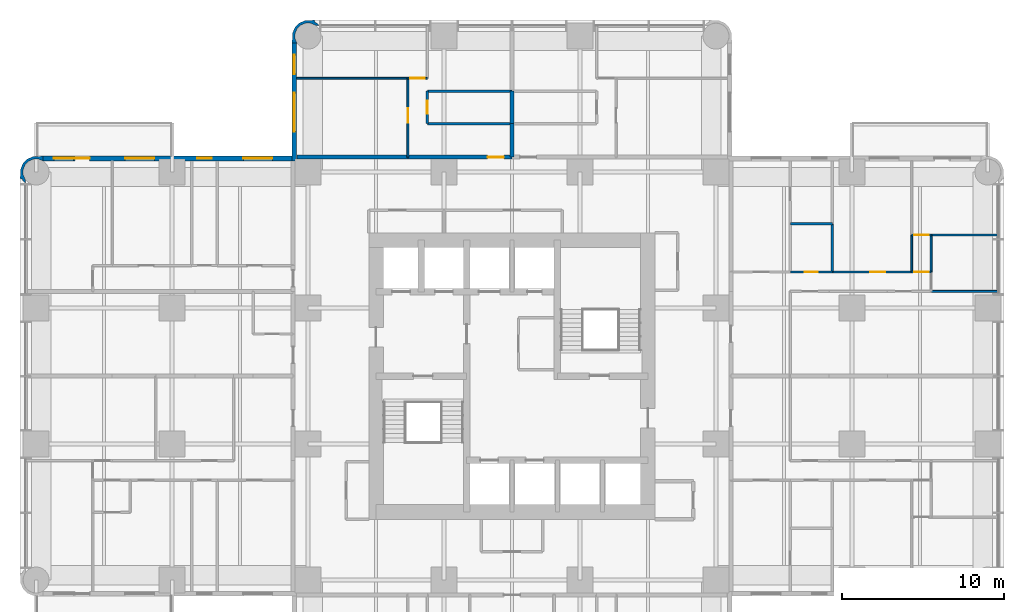
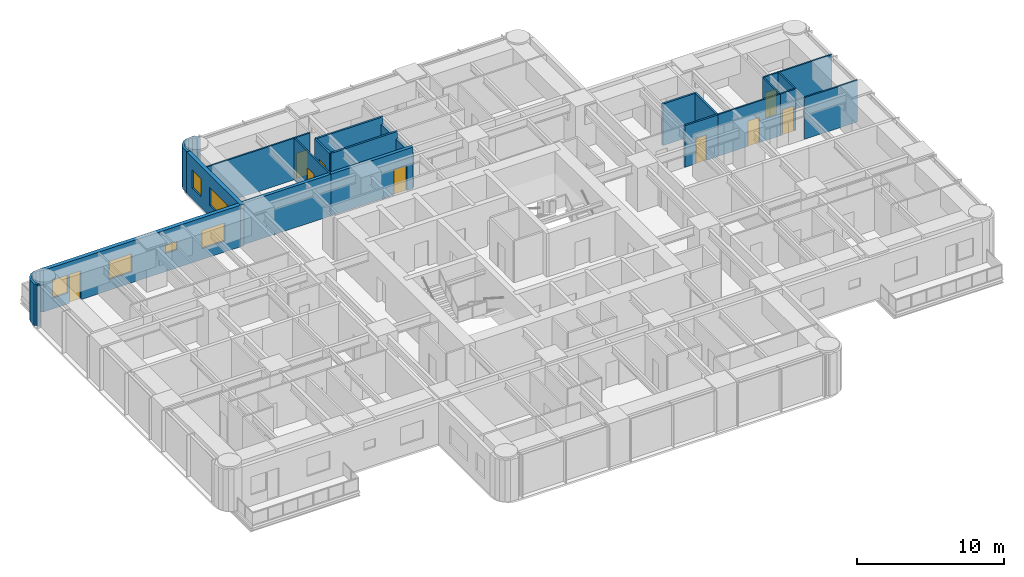
# One storey, part 11 of 15: 24 walls, 9 doors, 6 windows, 15 openings.
"""IFC4 building model written with IfcOpenShell, lengths in metres."""

from ifc_helpers import new_model, si_unit, direction, frame, frame_2d, origin, place, context, subcontext, project, spatial, polyline, rectangle, outline, extrude, material, layer, layer_set, type_object, element, fill, save


model = new_model("IFC4")

# Units and contexts
model_context = context("Model", 3, precision=1e-05, world=origin(), true_north=direction((0.0, 1.0)))
body_context = subcontext(model_context, "Body", "Model", "MODEL_VIEW")
ifc_project = project(units=[si_unit("LENGTHUNIT", "METRE"), si_unit("AREAUNIT", "SQUARE_METRE"), si_unit("VOLUMEUNIT", "CUBIC_METRE"), si_unit("PLANEANGLEUNIT", "RADIAN"), si_unit("MASSUNIT", "GRAM", prefix="KILO")], contexts=[model_context])

# Site, building, storey
site_placement = place(None, origin())
site = spatial("IfcSite", under=ifc_project, at=site_placement, CompositionType="ELEMENT")
building_placement = place(site_placement, origin())
building = spatial("IfcBuilding", under=site, at=building_placement, Name="Torre Alcanfor", CompositionType="ELEMENT")
storey_placement = place(building_placement, frame((0.0, 0.0, 116.10009765625)))
storey = spatial("IfcBuildingStorey", under=building, at=storey_placement, Name="L29", CompositionType="ELEMENT", Elevation=116.10009765625)

# Wall, opening, door
ifc_material_1 = material(Name="Concrete block masonry, hollow blocks NMX-C-404 9 MPa", Category="masonry")
ifc_layer_1 = layer(ifc_material_1, 0.25)
ifc_layer_set_1 = layer_set([ifc_layer_1], Name="Apartment entrance wall 250 EI 60")
wall_type_1 = type_object("IfcWallType", Name="Apartment entrance wall 250 EI 60", PredefinedType="PARTITIONING", material=ifc_layer_set_1)
wall_1_placement = place(storey_placement, frame((22.970947265625, 42.925048828125, 0.0), z_axis=(0.0, 0.0, 1.0), x_axis=(1.0, 0.0, 0.0)))
wall_1 = element("IfcWall", 1, at=wall_1_placement, inside=storey, type_object=wall_type_1, Name="Partition L29-CORR / L29-N1-LIVING", PredefinedType="PARTITIONING", context=body_context, shape_type="SweptSolid", body=[
    extrude(rectangle(XDim=6.428955078125, YDim=0.25, at=frame_2d((3.21435546875, 0.0))), origin(), (0.0, 0.0, 1.0), 3.449951171875),
])
opening_1_placement = place(wall_1_placement, frame((4.928955078125, 0.0, 0.0)))
opening_1 = element("IfcOpeningElement", 2, at=opening_1_placement, cuts=wall_1, Name="Opening D-A1", PredefinedType="OPENING", context=body_context, shape_type="SweptSolid", body=[
    extrude(rectangle(XDim=1.0, YDim=2.10009765625, at=frame_2d((0.5, 1.050048828125))), frame((0.0, 0.135009765625, 0.0), z_axis=(0.0, -1.0, 0.0), x_axis=(1.0, 0.0, 0.0)), (0.0, 0.0, 1.0), 0.27001953125),
])
ifc_material_2 = material(Name="Galvanised steel sheet ASTM A653", Category="steel")
door_type_1 = type_object("IfcDoorType", Name="Apartment entrance door FD60 1000x2100", OperationType="SINGLE_SWING_LEFT", PredefinedType="DOOR", material=ifc_material_2)
door_1_placement = place(opening_1_placement, origin())
door_1 = element("IfcDoor", 3, at=door_1_placement, inside=storey, type_object=door_type_1, Name="Apartment entrance L29-N1", OperationType="SINGLE_SWING_RIGHT", OverallHeight=2.10009765625, OverallWidth=1.0, PredefinedType="DOOR", context=body_context, shape_type="SweptSolid", body=[
    extrude(rectangle(XDim=1.0, YDim=2.10009765625, at=frame_2d((0.5, 1.050048828125))), frame((0.0, 0.02490234375, 0.0), z_axis=(0.0, -1.0, 0.0), x_axis=(1.0, 0.0, 0.0)), (0.0, 0.0, 1.0), 0.050048828125),
])
fill(opening_1, door_1)

# Wall
wall_2_placement = place(storey_placement, frame((16.10009765625, 42.925048828125, 0.0), z_axis=(0.0, 0.0, 1.0), x_axis=(1.0, 0.0, 0.0)))
element("IfcWall", 4, at=wall_2_placement, inside=storey, type_object=wall_type_1, Name="Partition L29-CORR / L29-N1-BED2", PredefinedType="PARTITIONING", context=body_context, shape_type="SweptSolid", body=[
    extrude(rectangle(XDim=6.870849609375, YDim=0.25, at=frame_2d((3.435546875, 0.0))), origin(), (0.0, 0.0, 1.0), 3.449951171875),
])

# Wall, opening, door
ifc_material_3 = material(Name="Gypsum board on steel studs", Category="steel")
ifc_layer_2 = layer(ifc_material_3, 0.1201171875)
ifc_layer_set_2 = layer_set([ifc_layer_2], Name="Apartment partition 120")
wall_type_2 = type_object("IfcWallType", Name="Apartment partition 120", PredefinedType="PARTITIONING", material=ifc_layer_set_2)
wall_3_placement = place(storey_placement, frame((22.970947265625, 42.925048828125, 0.0), z_axis=(0.0, 0.0, 1.0), x_axis=(0.0, 1.0, 0.0)))
wall_3 = element("IfcWall", 5, at=wall_3_placement, inside=storey, type_object=wall_type_2, Name="Partition L29-N1-LIVING / L29-N1-BED2", PredefinedType="PARTITIONING", context=body_context, shape_type="SweptSolid", body=[
    extrude(rectangle(XDim=4.875, YDim=0.1201171875, at=frame_2d((2.4375, 0.0))), origin(), (0.0, 0.0, 1.0), 3.449951171875),
])
opening_2_placement = place(wall_3_placement, frame((2.125, 0.0, 0.0)))
opening_2 = element("IfcOpeningElement", 6, at=opening_2_placement, cuts=wall_3, Name="Opening D-R1", PredefinedType="OPENING", context=body_context, shape_type="SweptSolid", body=[
    extrude(rectangle(XDim=0.89990234375, YDim=2.10009765625, at=frame_2d((0.449951171875, 1.050048828125))), frame((0.0, 0.070068359375, 0.0), z_axis=(0.0, -1.0, 0.0), x_axis=(1.0, 0.0, 0.0)), (0.0, 0.0, 1.0), 0.14013671875),
])
ifc_material_4 = material(Name="Timber", Category="wood")
door_type_2 = type_object("IfcDoorType", Name="Internal door 900x2100", OperationType="SINGLE_SWING_LEFT", PredefinedType="DOOR", material=ifc_material_4)
door_2_placement = place(opening_2_placement, origin())
door_2 = element("IfcDoor", 7, at=door_2_placement, inside=storey, type_object=door_type_2, Name="Door L29-N1 bed2", OperationType="SINGLE_SWING_RIGHT", OverallHeight=2.10009765625, OverallWidth=0.89990234375, PredefinedType="DOOR", context=body_context, shape_type="SweptSolid", body=[
    extrude(rectangle(XDim=0.89990234375, YDim=2.10009765625, at=frame_2d((0.449951171875, 1.050048828125))), frame((0.0, 0.02490234375, 0.0), z_axis=(0.0, -1.0, 0.0), x_axis=(1.0, 0.0, 0.0)), (0.0, 0.0, 1.0), 0.050048828125),
])
fill(opening_2, door_2)

wall_4_placement = place(storey_placement, frame((22.970947265625, 47.800048828125, 0.0), z_axis=(0.0, 0.0, 1.0), x_axis=(1.0, 0.0, 0.0)))
wall_4 = element("IfcWall", 8, at=wall_4_placement, inside=storey, type_object=wall_type_2, Name="Partition L29-N1-LIVING / L29-N1-MASTER", PredefinedType="PARTITIONING", context=body_context, shape_type="SweptSolid", body=[
    extrude(rectangle(XDim=1.199951171875, YDim=0.1201171875, at=frame_2d((0.60009765625, 0.0))), origin(), (0.0, 0.0, 1.0), 3.449951171875),
])
opening_3_placement = place(wall_4_placement, frame((0.14892578125, 0.0, 0.0)))
opening_3 = element("IfcOpeningElement", 9, at=opening_3_placement, cuts=wall_4, Name="Opening D-R1", PredefinedType="OPENING", context=body_context, shape_type="SweptSolid", body=[
    extrude(rectangle(XDim=0.89990234375, YDim=2.10009765625, at=frame_2d((0.449951171875, 1.050048828125))), frame((0.0, 0.070068359375, 0.0), z_axis=(0.0, -1.0, 0.0), x_axis=(1.0, 0.0, 0.0)), (0.0, 0.0, 1.0), 0.14013671875),
])
door_3_placement = place(opening_3_placement, origin())
door_3 = element("IfcDoor", 10, at=door_3_placement, inside=storey, type_object=door_type_2, Name="Door L29-N1 master", OperationType="SINGLE_SWING_RIGHT", OverallHeight=2.10009765625, OverallWidth=0.89990234375, PredefinedType="DOOR", context=body_context, shape_type="SweptSolid", body=[
    extrude(rectangle(XDim=0.89990234375, YDim=2.10009765625, at=frame_2d((0.449951171875, 1.050048828125))), frame((0.0, 0.02490234375, 0.0), z_axis=(0.0, -1.0, 0.0), x_axis=(1.0, 0.0, 0.0)), (0.0, 0.0, 1.0), 0.050048828125),
])
fill(opening_3, door_3)

# Walls
wall_5_placement = place(storey_placement, frame((22.970947265625, 47.800048828125, 0.0), z_axis=(0.0, 0.0, 1.0), x_axis=(-1.0, 0.0, 0.0)))
element("IfcWall", 11, at=wall_5_placement, inside=storey, type_object=wall_type_2, Name="Partition L29-N1-BED2 / L29-N1-MASTER", PredefinedType="PARTITIONING", context=body_context, shape_type="SweptSolid", body=[
    extrude(rectangle(XDim=6.870849609375, YDim=0.1201171875, at=frame_2d((3.435546875, 0.0))), origin(), (0.0, 0.0, 1.0), 3.449951171875),
])
wall_6_placement = place(storey_placement, frame((59.449951171875, 34.62890625, 0.0), z_axis=(0.0, 0.0, 1.0), x_axis=(-1.0, 0.0, 0.0)))
element("IfcWall", 12, at=wall_6_placement, inside=storey, type_object=wall_type_2, Name="Partition L29-E1-LIVING / L29-E1-BED2", PredefinedType="PARTITIONING", context=body_context, shape_type="SweptSolid", body=[
    extrude(rectangle(XDim=4.14990234375, YDim=0.1201171875, at=frame_2d((2.074951171875, 0.0))), origin(), (0.0, 0.0, 1.0), 3.449951171875),
])

# Wall, opening, door
wall_7_placement = place(storey_placement, frame((54.10009765625, 35.8291015625, 0.0), z_axis=(0.0, 0.0, 1.0), x_axis=(-1.0, 0.0, 0.0)))
wall_7 = element("IfcWall", 13, at=wall_7_placement, inside=storey, type_object=wall_type_2, Name="Partition L29-E1-HALL / L29-E1-BED3", PredefinedType="PARTITIONING", context=body_context, shape_type="SweptSolid", body=[
    extrude(rectangle(XDim=4.900146484375, YDim=0.1201171875, at=frame_2d((2.4501953125, 0.0))), origin(), (0.0, 0.0, 1.0), 3.449951171875),
])
opening_4_placement = place(wall_7_placement, frame((1.64990234375, 0.0, 0.0)))
opening_4 = element("IfcOpeningElement", 14, at=opening_4_placement, cuts=wall_7, Name="Opening D-R1", PredefinedType="OPENING", context=body_context, shape_type="SweptSolid", body=[
    extrude(rectangle(XDim=0.89990234375, YDim=2.10009765625, at=frame_2d((0.449951171875, 1.050048828125))), frame((0.0, 0.070068359375, 0.0), z_axis=(0.0, -1.0, 0.0), x_axis=(1.0, 0.0, 0.0)), (0.0, 0.0, 1.0), 0.14013671875),
])
door_4_placement = place(opening_4_placement, frame((0.89990234375, 0.0, 0.0), z_axis=(0.0, 0.0, 1.0), x_axis=(-1.0, 0.0, 0.0)))
door_4 = element("IfcDoor", 15, at=door_4_placement, inside=storey, type_object=door_type_2, Name="Door L29-E1 bed3", OperationType="SINGLE_SWING_RIGHT", OverallHeight=2.10009765625, OverallWidth=0.89990234375, PredefinedType="DOOR", context=body_context, shape_type="SweptSolid", body=[
    extrude(rectangle(XDim=0.89990234375, YDim=2.10009765625, at=frame_2d((0.449951171875, 1.050048828125))), frame((0.0, 0.025146484375, 0.0), z_axis=(0.0, -1.0, 0.0), x_axis=(1.0, 0.0, 0.0)), (0.0, 0.0, 1.0), 0.050048828125),
])
fill(opening_4, door_4)

wall_8_placement = place(storey_placement, frame((55.300048828125, 35.8291015625, 0.0), z_axis=(0.0, 0.0, 1.0), x_axis=(-1.0, 0.0, 0.0)))
wall_8 = element("IfcWall", 16, at=wall_8_placement, inside=storey, type_object=wall_type_2, Name="Partition L29-E1-HALL / L29-E1-VEST", PredefinedType="PARTITIONING", context=body_context, shape_type="SweptSolid", body=[
    extrude(rectangle(XDim=1.199951171875, YDim=0.1201171875, at=frame_2d((0.60009765625, 0.0))), origin(), (0.0, 0.0, 1.0), 3.449951171875),
])
opening_5_placement = place(wall_8_placement, frame((0.14990234375, 0.0, 0.0)))
opening_5 = element("IfcOpeningElement", 17, at=opening_5_placement, cuts=wall_8, Name="Opening D-R1", PredefinedType="OPENING", context=body_context, shape_type="SweptSolid", body=[
    extrude(rectangle(XDim=0.89990234375, YDim=2.10009765625, at=frame_2d((0.449951171875, 1.050048828125))), frame((0.0, 0.070068359375, 0.0), z_axis=(0.0, -1.0, 0.0), x_axis=(1.0, 0.0, 0.0)), (0.0, 0.0, 1.0), 0.14013671875),
])
door_5_placement = place(opening_5_placement, frame((0.89990234375, 0.0, 0.0), z_axis=(0.0, 0.0, 1.0), x_axis=(-1.0, 0.0, 0.0)))
door_5 = element("IfcDoor", 18, at=door_5_placement, inside=storey, type_object=door_type_2, Name="Door L29-E1 vest", OperationType="SINGLE_SWING_RIGHT", OverallHeight=2.10009765625, OverallWidth=0.89990234375, PredefinedType="DOOR", context=body_context, shape_type="SweptSolid", body=[
    extrude(rectangle(XDim=0.89990234375, YDim=2.10009765625, at=frame_2d((0.449951171875, 1.050048828125))), frame((0.0, 0.025146484375, 0.0), z_axis=(0.0, -1.0, 0.0), x_axis=(1.0, 0.0, 0.0)), (0.0, 0.0, 1.0), 0.050048828125),
])
fill(opening_5, door_5)

# Walls
for number, where, z_axis, x_axis, name in (
    (19, (54.10009765625, 35.8291015625, 0.0), (0.0, 0.0, 1.0), (0.0, 1.0, 0.0), "Partition L29-E1-BED3 / L29-E1-VEST"),
    (20, (55.300048828125, 35.8291015625, 0.0), (0.0, 0.0, 1.0), (0.0, 1.0, 0.0), "Partition L29-E1-VEST / L29-E1-BED2"),
):
    element("IfcWall", number, at=place(storey_placement, frame(where, z_axis=z_axis, x_axis=x_axis)), inside=storey, type_object=wall_type_2, Name=name, PredefinedType="PARTITIONING", context=body_context, shape_type="SweptSolid", body=[
        extrude(rectangle(XDim=2.284912109375, YDim=0.1201171875, at=frame_2d((1.142578125, 0.0))), origin(), (0.0, 0.0, 1.0), 3.449951171875),
    ])

# Wall, opening, door
wall_9_placement = place(storey_placement, frame((55.300048828125, 38.114013671875, 0.0), z_axis=(0.0, 0.0, 1.0), x_axis=(-1.0, 0.0, 0.0)))
wall_9 = element("IfcWall", 21, at=wall_9_placement, inside=storey, type_object=wall_type_2, Name="Partition L29-E1-VEST / L29-E1-MASTER", PredefinedType="PARTITIONING", context=body_context, shape_type="SweptSolid", body=[
    extrude(rectangle(XDim=1.199951171875, YDim=0.1201171875, at=frame_2d((0.60009765625, 0.0))), origin(), (0.0, 0.0, 1.0), 3.449951171875),
])
opening_6_placement = place(wall_9_placement, frame((0.14990234375, 0.0, 0.0)))
opening_6 = element("IfcOpeningElement", 22, at=opening_6_placement, cuts=wall_9, Name="Opening D-R1", PredefinedType="OPENING", context=body_context, shape_type="SweptSolid", body=[
    extrude(rectangle(XDim=0.89990234375, YDim=2.10009765625, at=frame_2d((0.449951171875, 1.050048828125))), frame((0.0, 0.070068359375, 0.0), z_axis=(0.0, -1.0, 0.0), x_axis=(1.0, 0.0, 0.0)), (0.0, 0.0, 1.0), 0.14013671875),
])
door_6_placement = place(opening_6_placement, origin())
door_6 = element("IfcDoor", 23, at=door_6_placement, inside=storey, type_object=door_type_2, Name="Door L29-E1 master", OperationType="SINGLE_SWING_LEFT", OverallHeight=2.10009765625, OverallWidth=0.89990234375, PredefinedType="DOOR", context=body_context, shape_type="SweptSolid", body=[
    extrude(rectangle(XDim=0.89990234375, YDim=2.10009765625, at=frame_2d((0.449951171875, 1.050048828125))), frame((0.0, 0.02490234375, 0.0), z_axis=(0.0, -1.0, 0.0), x_axis=(1.0, 0.0, 0.0)), (0.0, 0.0, 1.0), 0.050048828125),
])
fill(opening_6, door_6)

# Wall
wall_10_placement = place(storey_placement, frame((59.449951171875, 38.114013671875, 0.0), z_axis=(0.0, 0.0, 1.0), x_axis=(-1.0, 0.0, 0.0)))
element("IfcWall", 24, at=wall_10_placement, inside=storey, type_object=wall_type_2, Name="Partition L29-E1-BED2 / L29-E1-MASTER", PredefinedType="PARTITIONING", context=body_context, shape_type="SweptSolid", body=[
    extrude(rectangle(XDim=4.14990234375, YDim=0.1201171875, at=frame_2d((2.074951171875, 0.0))), origin(), (0.0, 0.0, 1.0), 3.449951171875),
])

# Wall, openings, door, windows
ifc_material_5 = material(Name="Limestone cladding", Category="masonry")
ifc_layer_3 = layer(ifc_material_5, 0.0400390625, Name="Facing")
ifc_material_6 = material(Name="Ventilated air cavity")
ifc_layer_4 = layer(ifc_material_6, 0.02001953125, ventilated=True, Name="Ventilated joint")
ifc_material_7 = material(Name="Mineral wool insulation", Category="insulation")
ifc_layer_5 = layer(ifc_material_7, 0.10009765625, Name="Insulation")
ifc_material_8 = material(Name="Concrete f'c 35 MPa", Category="concrete")
ifc_layer_6 = layer(ifc_material_8, 0.139892578125, Name="Backing")
ifc_layer_set_3 = layer_set([ifc_layer_3, ifc_layer_4, ifc_layer_5, ifc_layer_6], Name="External wall stone-clad 300")
wall_type_3 = type_object("IfcWallType", Name="External wall stone-clad 300", PredefinedType="SOLIDWALL", material=ifc_layer_set_3)
wall_11_placement = place(storey_placement, frame((15.800048828125, 42.85009765625, 0.0), z_axis=(0.0, 0.0, 1.0), x_axis=(-1.0, 0.0, 0.0)))
wall_11 = element("IfcWall", 25, at=wall_11_placement, inside=storey, type_object=wall_type_3, Name="External wall L29 1", PredefinedType="SOLIDWALL", context=body_context, shape_type="SweptSolid", body=[
    extrude(rectangle(XDim=15.400146484375, YDim=0.300048828125, at=frame_2d((7.7001953125, 0.0))), origin(), (0.0, 0.0, 1.0), 3.449951171875),
])
opening_7_placement = place(wall_11_placement, frame((1.199951171875, 0.0, 0.89990234375)))
opening_7 = element("IfcOpeningElement", 26, at=opening_7_placement, cuts=wall_11, Name="Opening W2", PredefinedType="OPENING", context=body_context, shape_type="SweptSolid", body=[
    extrude(rectangle(XDim=1.800048828125, YDim=1.5, at=frame_2d((0.89990234375, 0.75))), frame((0.0, 0.159912109375, 0.0), z_axis=(0.0, -1.0, 0.0), x_axis=(1.0, 0.0, 0.0)), (0.0, 0.0, 1.0), 0.320068359375),
])
opening_8_placement = place(wall_11_placement, frame((4.949951171875, 0.0, 1.5)))
opening_8 = element("IfcOpeningElement", 27, at=opening_8_placement, cuts=wall_11, Name="Opening W3", PredefinedType="OPENING", context=body_context, shape_type="SweptSolid", body=[
    extrude(rectangle(XDim=0.89990234375, YDim=0.699951171875, at=frame_2d((0.449951171875, 0.35009765625))), frame((0.0, 0.159912109375, 0.0), z_axis=(0.0, -1.0, 0.0), x_axis=(1.0, 0.0, 0.0)), (0.0, 0.0, 1.0), 0.320068359375),
])
opening_9_placement = place(wall_11_placement, frame((8.5, 0.0, 0.89990234375)))
opening_9 = element("IfcOpeningElement", 28, at=opening_9_placement, cuts=wall_11, Name="Opening W2", PredefinedType="OPENING", context=body_context, shape_type="SweptSolid", body=[
    extrude(rectangle(XDim=1.800048828125, YDim=1.5, at=frame_2d((0.89990234375, 0.75))), frame((0.0, 0.159912109375, 0.0), z_axis=(0.0, -1.0, 0.0), x_axis=(1.0, 0.0, 0.0)), (0.0, 0.0, 1.0), 0.320068359375),
])
opening_10_placement = place(wall_11_placement, frame((12.5, 0.0, 0.0)))
opening_10 = element("IfcOpeningElement", 29, at=opening_10_placement, cuts=wall_11, Name="Opening D-B1", PredefinedType="OPENING", context=body_context, shape_type="SweptSolid", body=[
    extrude(rectangle(XDim=0.89990234375, YDim=2.39990234375, at=frame_2d((0.449951171875, 1.199951171875))), frame((0.0, 0.159912109375, 0.0), z_axis=(0.0, -1.0, 0.0), x_axis=(1.0, 0.0, 0.0)), (0.0, 0.0, 1.0), 0.320068359375),
])
opening_11_placement = place(wall_11_placement, frame((13.5, 0.0, 0.89990234375)))
opening_11 = element("IfcOpeningElement", 30, at=opening_11_placement, cuts=wall_11, Name="Opening W4", PredefinedType="OPENING", context=body_context, shape_type="SweptSolid", body=[
    extrude(rectangle(XDim=1.199951171875, YDim=1.5, at=frame_2d((0.60009765625, 0.75))), frame((0.0, 0.159912109375, 0.0), z_axis=(0.0, -1.0, 0.0), x_axis=(1.0, 0.0, 0.0)), (0.0, 0.0, 1.0), 0.320068359375),
])
ifc_material_9 = material(Name="Aluminium and glass", Category="aluminium")
door_type_3 = type_object("IfcDoorType", Name="Balcony door glazed 900x2400", OperationType="SINGLE_SWING_LEFT", PredefinedType="DOOR", material=ifc_material_9)
door_7_placement = place(opening_10_placement, origin())
door_7 = element("IfcDoor", 31, at=door_7_placement, inside=storey, type_object=door_type_3, Name="Balcony door L29-W2", OperationType="SINGLE_SWING_LEFT", OverallHeight=2.39990234375, OverallWidth=0.89990234375, PredefinedType="DOOR", context=body_context, shape_type="SweptSolid", body=[
    extrude(rectangle(XDim=0.89990234375, YDim=2.39990234375, at=frame_2d((0.449951171875, 1.199951171875))), frame((0.0, 0.02490234375, 0.0), z_axis=(0.0, -1.0, 0.0), x_axis=(1.0, 0.0, 0.0)), (0.0, 0.0, 1.0), 0.050048828125),
])
fill(opening_10, door_7)
ifc_material_10 = material(Name="Aluminium frame with clear double glazing", Category="aluminium")
window_type_1 = type_object("IfcWindowType", Name="Window bathroom 900x700", PartitioningType="SINGLE_PANEL", PredefinedType="WINDOW", material=ifc_material_10)
window_1_placement = place(opening_8_placement, origin())
window_1 = element("IfcWindow", 32, at=window_1_placement, inside=storey, type_object=window_type_1, Name="Window W3 L29-W2", OverallHeight=0.699951171875, OverallWidth=0.89990234375, PartitioningType="SINGLE_PANEL", PredefinedType="WINDOW", context=body_context, shape_type="SweptSolid", body=[
    extrude(rectangle(XDim=0.89990234375, YDim=0.699951171875, at=frame_2d((0.449951171875, 0.35009765625))), frame((0.0, 0.030029296875, 0.0), z_axis=(0.0, -1.0, 0.0), x_axis=(1.0, 0.0, 0.0)), (0.0, 0.0, 1.0), 0.06005859375),
])
fill(opening_8, window_1)
ifc_material_11 = material(Name="Aluminium frame with clear double glazing", Category="aluminium")
window_type_2 = type_object("IfcWindowType", Name="Window bedroom 1200x1500", PartitioningType="SINGLE_PANEL", PredefinedType="WINDOW", material=ifc_material_11)
window_2_placement = place(opening_11_placement, origin())
window_2 = element("IfcWindow", 33, at=window_2_placement, inside=storey, type_object=window_type_2, Name="Window W4 L29-W2", OverallHeight=1.5, OverallWidth=1.199951171875, PartitioningType="SINGLE_PANEL", PredefinedType="WINDOW", context=body_context, shape_type="SweptSolid", body=[
    extrude(rectangle(XDim=1.199951171875, YDim=1.5, at=frame_2d((0.60009765625, 0.75))), frame((0.0, 0.030029296875, 0.0), z_axis=(0.0, -1.0, 0.0), x_axis=(1.0, 0.0, 0.0)), (0.0, 0.0, 1.0), 0.06005859375),
])
fill(opening_11, window_2)
ifc_material_12 = material(Name="Aluminium frame with clear double glazing", Category="aluminium")
window_type_3 = type_object("IfcWindowType", Name="Window bedroom 1800x1500", PartitioningType="SINGLE_PANEL", PredefinedType="WINDOW", material=ifc_material_12)
window_3_placement = place(opening_7_placement, origin())
window_3 = element("IfcWindow", 34, at=window_3_placement, inside=storey, type_object=window_type_3, Name="Window W2 L29-W2", OverallHeight=1.5, OverallWidth=1.800048828125, PartitioningType="SINGLE_PANEL", PredefinedType="WINDOW", context=body_context, shape_type="SweptSolid", body=[
    extrude(rectangle(XDim=1.800048828125, YDim=1.5, at=frame_2d((0.89990234375, 0.75))), frame((0.0, 0.030029296875, 0.0), z_axis=(0.0, -1.0, 0.0), x_axis=(1.0, 0.0, 0.0)), (0.0, 0.0, 1.0), 0.06005859375),
])
fill(opening_7, window_3)
window_4_placement = place(opening_9_placement, origin())
window_4 = element("IfcWindow", 35, at=window_4_placement, inside=storey, type_object=window_type_3, Name="Window W2 L29-W2", OverallHeight=1.5, OverallWidth=1.800048828125, PartitioningType="SINGLE_PANEL", PredefinedType="WINDOW", context=body_context, shape_type="SweptSolid", body=[
    extrude(rectangle(XDim=1.800048828125, YDim=1.5, at=frame_2d((0.89990234375, 0.75))), frame((0.0, 0.030029296875, 0.0), z_axis=(0.0, -1.0, 0.0), x_axis=(1.0, 0.0, 0.0)), (0.0, 0.0, 1.0), 0.06005859375),
])
fill(opening_9, window_4)

# Wall, openings, windows
wall_12_placement = place(storey_placement, frame((15.949951171875, 50.0, 0.0), z_axis=(0.0, 0.0, 1.0), x_axis=(0.0, -1.0, 0.0)))
wall_12 = element("IfcWall", 36, at=wall_12_placement, inside=storey, type_object=wall_type_3, Name="External wall L29 12", PredefinedType="SOLIDWALL", context=body_context, shape_type="SweptSolid", body=[
    extrude(rectangle(XDim=7.300048828125, YDim=0.300048828125, at=frame_2d((3.64990234375, 0.0))), origin(), (0.0, 0.0, 1.0), 3.449951171875),
])
opening_12_placement = place(wall_12_placement, frame((3.10009765625, 0.0, 0.89990234375)))
opening_12 = element("IfcOpeningElement", 37, at=opening_12_placement, cuts=wall_12, Name="Opening W1", PredefinedType="OPENING", context=body_context, shape_type="SweptSolid", body=[
    extrude(rectangle(XDim=2.39990234375, YDim=1.5, at=frame_2d((1.199951171875, 0.75))), frame((0.0, 0.159912109375, 0.0), z_axis=(0.0, -1.0, 0.0), x_axis=(1.0, 0.0, 0.0)), (0.0, 0.0, 1.0), 0.320068359375),
])
opening_13_placement = place(wall_12_placement, frame((0.75, 0.0, 0.89990234375)))
opening_13 = element("IfcOpeningElement", 38, at=opening_13_placement, cuts=wall_12, Name="Opening W4", PredefinedType="OPENING", context=body_context, shape_type="SweptSolid", body=[
    extrude(rectangle(XDim=1.199951171875, YDim=1.5, at=frame_2d((0.60009765625, 0.75))), frame((0.0, 0.159912109375, 0.0), z_axis=(0.0, -1.0, 0.0), x_axis=(1.0, 0.0, 0.0)), (0.0, 0.0, 1.0), 0.320068359375),
])
window_5_placement = place(opening_13_placement, origin())
window_5 = element("IfcWindow", 39, at=window_5_placement, inside=storey, type_object=window_type_2, Name="Window W4 L29-N1", OverallHeight=1.5, OverallWidth=1.199951171875, PartitioningType="SINGLE_PANEL", PredefinedType="WINDOW", context=body_context, shape_type="SweptSolid", body=[
    extrude(rectangle(XDim=1.199951171875, YDim=1.5, at=frame_2d((0.60009765625, 0.75))), frame((0.0, 0.030029296875, 0.0), z_axis=(0.0, -1.0, 0.0), x_axis=(1.0, 0.0, 0.0)), (0.0, 0.0, 1.0), 0.06005859375),
])
fill(opening_13, window_5)
ifc_material_13 = material(Name="Aluminium frame with clear double glazing", Category="aluminium")
window_type_4 = type_object("IfcWindowType", Name="Window bedroom 2400x1500", PartitioningType="SINGLE_PANEL", PredefinedType="WINDOW", material=ifc_material_13)
window_6_placement = place(opening_12_placement, origin())
window_6 = element("IfcWindow", 40, at=window_6_placement, inside=storey, type_object=window_type_4, Name="Window W1 L29-N1", OverallHeight=1.5, OverallWidth=2.39990234375, PartitioningType="SINGLE_PANEL", PredefinedType="WINDOW", context=body_context, shape_type="SweptSolid", body=[
    extrude(rectangle(XDim=2.39990234375, YDim=1.5, at=frame_2d((1.199951171875, 0.75))), frame((0.0, 0.030029296875, 0.0), z_axis=(0.0, -1.0, 0.0), x_axis=(1.0, 0.0, 0.0)), (0.0, 0.0, 1.0), 0.06005859375),
])
fill(opening_12, window_6)

# Walls
ifc_material_14 = material(Name="Concrete block masonry, hollow blocks NMX-C-404 9 MPa", Category="masonry")
ifc_layer_7 = layer(ifc_material_14, 0.25)
ifc_layer_set_4 = layer_set([ifc_layer_7], Name="Party wall 250 EI 60")
wall_type_4 = type_object("IfcWallType", Name="Party wall 250 EI 60", PredefinedType="PARTITIONING", material=ifc_layer_set_4)
wall_13_placement = place(storey_placement, frame((29.39990234375, 45.0, 0.0), z_axis=(0.0, 0.0, 1.0), x_axis=(0.0, 1.0, 0.0)))
element("IfcWall", 41, at=wall_13_placement, inside=storey, type_object=wall_type_4, Name="Partition L29-N1-BATH / L29-N2-BATH", PredefinedType="PARTITIONING", context=body_context, shape_type="SweptSolid", body=[
    extrude(rectangle(XDim=2.0, YDim=0.25, at=frame_2d((1.0, 0.0))), origin(), (0.0, 0.0, 1.0), 2.847900390625),
])
wall_14_placement = place(storey_placement, frame((29.39990234375, 45.0, 0.0), z_axis=(0.0, 0.0, 1.0), x_axis=(0.0, -1.0, 0.0)))
element("IfcWall", 42, at=wall_14_placement, inside=storey, type_object=wall_type_4, Name="Partition L29-N1-LIVING / L29-N2-LIVING", PredefinedType="PARTITIONING", context=body_context, shape_type="SweptSolid", body=[
    extrude(rectangle(XDim=2.074951171875, YDim=0.25, at=frame_2d((1.03759765625, 0.0))), origin(), (0.0, 0.0, 1.0), 2.847900390625),
])
ifc_layer_8 = layer(ifc_material_5, 0.0400390625, Name="Facing")
ifc_layer_9 = layer(ifc_material_6, 0.02001953125, ventilated=True, Name="Ventilated joint")
ifc_layer_10 = layer(ifc_material_7, 0.10009765625, Name="Insulation")
ifc_layer_11 = layer(ifc_material_8, 0.139892578125, Name="Backing")
ifc_layer_set_5 = layer_set([ifc_layer_8, ifc_layer_9, ifc_layer_10, ifc_layer_11], Name="Rounded corner pier stone-clad 300")
wall_type_5 = type_object("IfcWallType", Name="Rounded corner pier stone-clad 300", PredefinedType="SOLIDWALL", material=ifc_layer_set_5)
wall_15_placement = place(storey_placement, frame((0.326823795, 42.817059488, 0.0), z_axis=(0.0, 0.0, 1.0), x_axis=(-0.93923434088, 0.343276641956, 0.0)))
element("IfcWall", 43, at=wall_15_placement, inside=storey, type_object=wall_type_5, Name="Corner pier L29 13", PredefinedType="SOLIDWALL", context=body_context, shape_type="SweptSolid", body=[
    extrude(outline(polyline([(-0.005838677930572508, -0.19691017002240385), (0.2656725893480827, -0.05504723679548061), (0.5353355739365452, 0.04351070532859805), (0.8164808166219237, 0.3019667887790936), (0.9774010351300944, 0.6482698031873169), (0.9936526519661447, 1.0298167590229048), (0.8950947098420661, 1.2994797436113674), (0.8284439015683875, 1.5984799607341533), (0.6967504599124257, 1.5690632792769885), (0.6041212101125378, 1.6695954267902182), (0.39402236502400456, 1.7672242392847775), (0.4711255170258348, 1.5562634010012864), (0.5086990809760941, 1.538803702790635), (0.7241945805605172, 1.30408163961566), (0.8334799177457201, 1.0050675818747117), (0.8201287688443563, 0.6867053603325339), (0.6856890926223405, 0.3973889179155373), (0.4509670294473655, 0.1818934183311141), (0.15195297170641725, 0.07260808114591123), (-0.11630424425966698, 0.08399689688883538), (-0.12741215805145528, 0.07811756360614214), (-0.14598588403076265, 0.07132913391902448), (-0.005838677930572508, -0.19691017002240385)])), origin(), (0.0, 0.0, 1.0), 3.449951171875),
])
wall_16_placement = place(storey_placement, frame((17.448071802, 50.995317512, 0.0), z_axis=(0.0, 0.0, 1.0), x_axis=(-0.343276641956, 0.93923434088, 0.0)))
element("IfcWall", 44, at=wall_16_placement, inside=storey, type_object=wall_type_5, Name="Corner pier L29 20", PredefinedType="SOLIDWALL", context=body_context, shape_type="SweptSolid", body=[
    extrude(outline(polyline([(0.24108059829103723, 0.022959620234629247), (0.3334805428319213, 0.12357557552177408), (0.4651739844878831, 0.09415889406460926), (0.5320540980205655, 0.3930753034134802), (0.6306958479185591, 0.6629675932609465), (0.6144442310825087, 1.0445145490965344), (0.4535240125743382, 1.3908175635047577), (0.17229496211504458, 1.6490443416962495), (-0.0975973277324218, 1.7476860915942432), (-0.36910859501107685, 1.8895490248211664), (-0.5092558011112671, 1.6213097208797382), (-0.4906820751319597, 1.6145212911926206), (-0.47934485608116756, 1.6085581501360122), (-0.21131694537408713, 1.6200307736528514), (0.0879264176258649, 1.5106616286937335), (0.32264848080083985, 1.2951661291093102), (0.4569426595377669, 1.0061627997252323), (0.4702938084391308, 0.6878005781830546), (0.3609246634800129, 0.3885572151831026), (0.1454291638955897, 0.15383515200812764), (0.10816871297824923, 0.136520951282565), (0.030981753202503952, -0.0746691922599299), (0.24108059829103723, 0.022959620234629247)])), origin(), (0.0, 0.0, 1.0), 3.449951171875),
])
ifc_material_15 = material(Name="Cement board on steel studs", Category="steel")
ifc_layer_12 = layer(ifc_material_15, 0.14990234375)
ifc_layer_set_6 = layer_set([ifc_layer_12], Name="Wet area partition 150")
wall_type_6 = type_object("IfcWallType", Name="Wet area partition 150", PredefinedType="PARTITIONING", material=ifc_layer_set_6)
wall_17_placement = place(storey_placement, frame((29.39990234375, 47.0, 0.0), z_axis=(0.0, 0.0, 1.0), x_axis=(-1.0, 0.0, 0.0)))
element("IfcWall", 45, at=wall_17_placement, inside=storey, type_object=wall_type_6, Name="Partition L29-N1-BATH / L29-N1-LIVING", PredefinedType="PARTITIONING", context=body_context, shape_type="SweptSolid", body=[
    extrude(rectangle(XDim=5.22900390625, YDim=0.14990234375, at=frame_2d((2.614501953125, 0.0))), origin(), (0.0, 0.0, 1.0), 3.449951171875),
])

# Wall, opening, door
wall_18_placement = place(storey_placement, frame((24.1708984375, 47.0, 0.0), z_axis=(0.0, 0.0, 1.0), x_axis=(0.0, -1.0, 0.0)))
wall_18 = element("IfcWall", 46, at=wall_18_placement, inside=storey, type_object=wall_type_6, Name="Partition L29-N1-BATH / L29-N1-LIVING", PredefinedType="PARTITIONING", context=body_context, shape_type="SweptSolid", body=[
    extrude(rectangle(XDim=2.0, YDim=0.14990234375, at=frame_2d((1.0, 0.0))), origin(), (0.0, 0.0, 1.0), 3.449951171875),
])
opening_14_placement = place(wall_18_placement, frame((0.60009765625, 0.0, 0.0)))
opening_14 = element("IfcOpeningElement", 47, at=opening_14_placement, cuts=wall_18, Name="Opening D-R2", PredefinedType="OPENING", context=body_context, shape_type="SweptSolid", body=[
    extrude(rectangle(XDim=0.800048828125, YDim=2.10009765625, at=frame_2d((0.39990234375, 1.050048828125))), frame((0.0, 0.0849609375, 0.0), z_axis=(0.0, -1.0, 0.0), x_axis=(1.0, 0.0, 0.0)), (0.0, 0.0, 1.0), 0.169921875),
])
ifc_material_16 = material(Name="Timber", Category="wood")
door_type_4 = type_object("IfcDoorType", Name="Bathroom door 800x2100", OperationType="SINGLE_SWING_LEFT", PredefinedType="DOOR", material=ifc_material_16)
door_8_placement = place(opening_14_placement, origin())
door_8 = element("IfcDoor", 48, at=door_8_placement, inside=storey, type_object=door_type_4, Name="Door L29-N1 bath", OperationType="SINGLE_SWING_LEFT", OverallHeight=2.10009765625, OverallWidth=0.800048828125, PredefinedType="DOOR", context=body_context, shape_type="SweptSolid", body=[
    extrude(rectangle(XDim=0.800048828125, YDim=2.10009765625, at=frame_2d((0.39990234375, 1.050048828125))), frame((0.0, 0.02490234375, 0.0), z_axis=(0.0, -1.0, 0.0), x_axis=(1.0, 0.0, 0.0)), (0.0, 0.0, 1.0), 0.050048828125),
])
fill(opening_14, door_8)

# Wall
wall_19_placement = place(storey_placement, frame((24.1708984375, 45.0, 0.0), z_axis=(0.0, 0.0, 1.0), x_axis=(1.0, 0.0, 0.0)))
element("IfcWall", 49, at=wall_19_placement, inside=storey, type_object=wall_type_6, Name="Partition L29-N1-BATH / L29-N1-LIVING", PredefinedType="PARTITIONING", context=body_context, shape_type="SweptSolid", body=[
    extrude(rectangle(XDim=5.22900390625, YDim=0.14990234375, at=frame_2d((2.614501953125, 0.0))), origin(), (0.0, 0.0, 1.0), 3.449951171875),
])

# Wall, opening, door
wall_20_placement = place(storey_placement, frame((49.199951171875, 35.8291015625, 0.0), z_axis=(0.0, 0.0, 1.0), x_axis=(-1.0, 0.0, 0.0)))
wall_20 = element("IfcWall", 50, at=wall_20_placement, inside=storey, type_object=wall_type_6, Name="Partition L29-E1-HALL / L29-E1-BATH1", PredefinedType="PARTITIONING", context=body_context, shape_type="SweptSolid", body=[
    extrude(rectangle(XDim=2.599853515625, YDim=0.14990234375, at=frame_2d((1.2998046875, 0.0))), origin(), (0.0, 0.0, 1.0), 3.449951171875),
])
opening_15_placement = place(wall_20_placement, frame((0.89990234375, 0.0, 0.0)))
opening_15 = element("IfcOpeningElement", 51, at=opening_15_placement, cuts=wall_20, Name="Opening D-R2", PredefinedType="OPENING", context=body_context, shape_type="SweptSolid", body=[
    extrude(rectangle(XDim=0.800048828125, YDim=2.10009765625, at=frame_2d((0.39990234375, 1.050048828125))), frame((0.0, 0.0849609375, 0.0), z_axis=(0.0, -1.0, 0.0), x_axis=(1.0, 0.0, 0.0)), (0.0, 0.0, 1.0), 0.169921875),
])
door_9_placement = place(opening_15_placement, frame((0.800048828125, 0.0, 0.0), z_axis=(0.0, 0.0, 1.0), x_axis=(-1.0, 0.0, 0.0)))
door_9 = element("IfcDoor", 52, at=door_9_placement, inside=storey, type_object=door_type_4, Name="Door L29-E1 bath1", OperationType="SINGLE_SWING_RIGHT", OverallHeight=2.10009765625, OverallWidth=0.800048828125, PredefinedType="DOOR", context=body_context, shape_type="SweptSolid", body=[
    extrude(rectangle(XDim=0.800048828125, YDim=2.10009765625, at=frame_2d((0.400146484375, 1.050048828125))), frame((0.0, 0.025146484375, 0.0), z_axis=(0.0, -1.0, 0.0), x_axis=(1.0, 0.0, 0.0)), (0.0, 0.0, 1.0), 0.050048828125),
])
fill(opening_15, door_9)

# Walls
wall_21_placement = place(storey_placement, frame((49.199951171875, 38.800048828125, 0.0), z_axis=(0.0, 0.0, 1.0), x_axis=(-1.0, 0.0, 0.0)))
element("IfcWall", 53, at=wall_21_placement, inside=storey, type_object=wall_type_6, Name="Partition L29-E1-BATH1 / L29-E1-SBATH", PredefinedType="PARTITIONING", context=body_context, shape_type="SweptSolid", body=[
    extrude(rectangle(XDim=2.599853515625, YDim=0.14990234375, at=frame_2d((1.2998046875, 0.0))), origin(), (0.0, 0.0, 1.0), 3.449951171875),
])
wall_22_placement = place(storey_placement, frame((49.199951171875, 35.8291015625, 0.0), z_axis=(0.0, 0.0, 1.0), x_axis=(0.0, 1.0, 0.0)))
element("IfcWall", 54, at=wall_22_placement, inside=storey, type_object=wall_type_6, Name="Partition L29-E1-BATH1 / L29-E1-BED3", PredefinedType="PARTITIONING", context=body_context, shape_type="SweptSolid", body=[
    extrude(rectangle(XDim=2.970947265625, YDim=0.14990234375, at=frame_2d((1.4853515625, 0.0))), origin(), (0.0, 0.0, 1.0), 3.449951171875),
])

save(model, "model.ifc")
